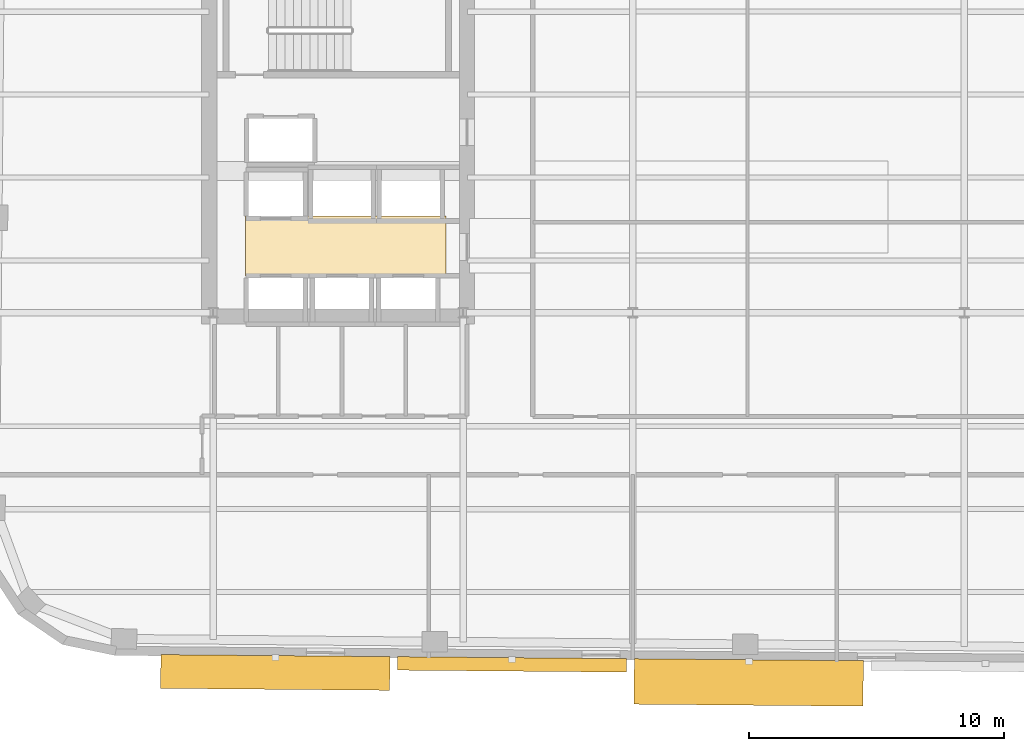
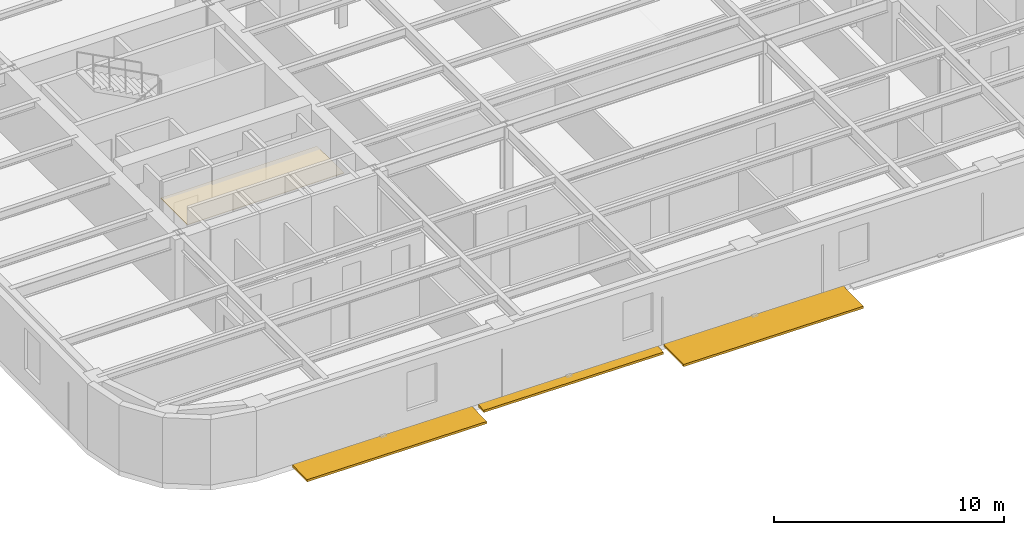
# One storey, part 8 of 11: 3 shading devices, 1 covering.
"""IFC4 building model written with IfcOpenShell, lengths in metres."""

from ifc_helpers import new_model, si_unit, direction, frame, origin, origin_2d, place, context, subcontext, project, spatial, polyline, rectangle, outline, extrude, material, layer, layer_set, type_object, element, save


model = new_model("IFC4")

# Units and contexts
model_context = context("Model", 3, precision=1e-05, world=origin(), true_north=direction((0.0, 1.0)))
body_context = subcontext(model_context, "Body", "Model", "MODEL_VIEW")
ifc_project = project(units=[si_unit("LENGTHUNIT", "METRE"), si_unit("AREAUNIT", "SQUARE_METRE"), si_unit("VOLUMEUNIT", "CUBIC_METRE"), si_unit("PLANEANGLEUNIT", "RADIAN"), si_unit("MASSUNIT", "GRAM", prefix="KILO")], contexts=[model_context])

# Site, building, storey
site_placement = place(None, origin())
site = spatial("IfcSite", under=ifc_project, at=site_placement, CompositionType="ELEMENT")
building_placement = place(site_placement, origin())
building = spatial("IfcBuilding", under=site, at=building_placement, Name="Kolvaren Arena Tower", CompositionType="ELEMENT")
storey_placement = place(building_placement, frame((0.0, 0.0, 162.199951171875)))
storey = spatial("IfcBuildingStorey", under=building, at=storey_placement, Name="L38", CompositionType="ELEMENT", Elevation=162.199951171875)

# Covering
ifc_material_1 = material(Name="Moisture-resistant gypsum ceiling", Category="gypsum")
ifc_layer = layer(ifc_material_1, 0.030029296875)
ifc_layer_set = layer_set([ifc_layer], Name="Moisture-resistant gypsum ceiling")
covering_type = type_object("IfcCoveringType", Name="CEIL-GYP-1", PredefinedType="CEILING", material=ifc_layer_set)
covering_placement = place(storey_placement, frame((0.0, 0.0, 2.52001953125)))
element("IfcCovering", 1, at=covering_placement, inside=storey, type_object=covering_type, Name="Suspended Ceiling (L38)", PredefinedType="CEILING", context=body_context, shape_type="SweptSolid", body=[
    extrude(outline(polyline([(15.820068359375, 20.89990234375), (15.820068359375, 23.239990234375), (23.679931640625, 23.239990234375), (23.679931640625, 20.89990234375), (15.820068359375, 20.89990234375)])), origin(), (0.0, 0.0, 1.0), 0.030029296875),
])

# Shading devices
ifc_material_2 = material(Name="Architectural precast GFRC and anodised aluminium sunshade", Category="concrete")
shading_device_type_1 = type_object("IfcShadingDeviceType", Name="SHAD-SINE-A", PredefinedType="USERDEFINED", material=ifc_material_2)
shading_device_1_placement = place(storey_placement, frame((26.26953125, 5.666015625, -0.139892578125), z_axis=(0.0, 0.0, 1.0), x_axis=(-0.999961923064, 0.008726535498, 0.0)))
element("IfcShadingDevice", 2, at=shading_device_1_placement, inside=storey, type_object=shading_device_type_1, Name="Sinusoidal Slab-Edge Sunshade Louvre (L38)", ObjectType="LOUVRE", PredefinedType="USERDEFINED", context=body_context, shape_type="SweptSolid", body=[
    extrude(rectangle(XDim=8.97998046875, YDim=0.529296875, at=origin_2d()), origin(), (0.0, 0.0, 1.0), 0.1201171875),
])
shading_device_type_2 = type_object("IfcShadingDeviceType", Name="SHAD-SINE-B", PredefinedType="JALOUSIE", material=ifc_material_2)
shading_device_2_placement = place(storey_placement, frame((35.543701171875, 4.9580078125, -0.139892578125), z_axis=(0.0, 0.0, 1.0), x_axis=(-0.999961923064, 0.008726535498, 0.0)))
element("IfcShadingDevice", 3, at=shading_device_2_placement, inside=storey, type_object=shading_device_type_2, Name="Sinusoidal Slab-Edge Sunshade Louvre (L38)", PredefinedType="JALOUSIE", context=body_context, shape_type="SweptSolid", body=[
    extrude(rectangle(XDim=8.97998046875, YDim=1.783203125, at=origin_2d()), origin(), (0.0, 0.0, 1.0), 0.1201171875),
])
shading_device_3_placement = place(storey_placement, frame((16.986328125, 5.349853515625, -0.139892578125), z_axis=(0.0, 0.0, 1.0), x_axis=(-0.999961923064, 0.008726535498, 0.0)))
element("IfcShadingDevice", 4, at=shading_device_3_placement, inside=storey, type_object=shading_device_type_2, Name="Sinusoidal Slab-Edge Sunshade Louvre (L38)", PredefinedType="JALOUSIE", context=body_context, shape_type="SweptSolid", body=[
    extrude(rectangle(XDim=8.97998046875, YDim=1.3232421875, at=origin_2d()), origin(), (0.0, 0.0, 1.0), 0.1201171875),
])

save(model, "model.ifc")
